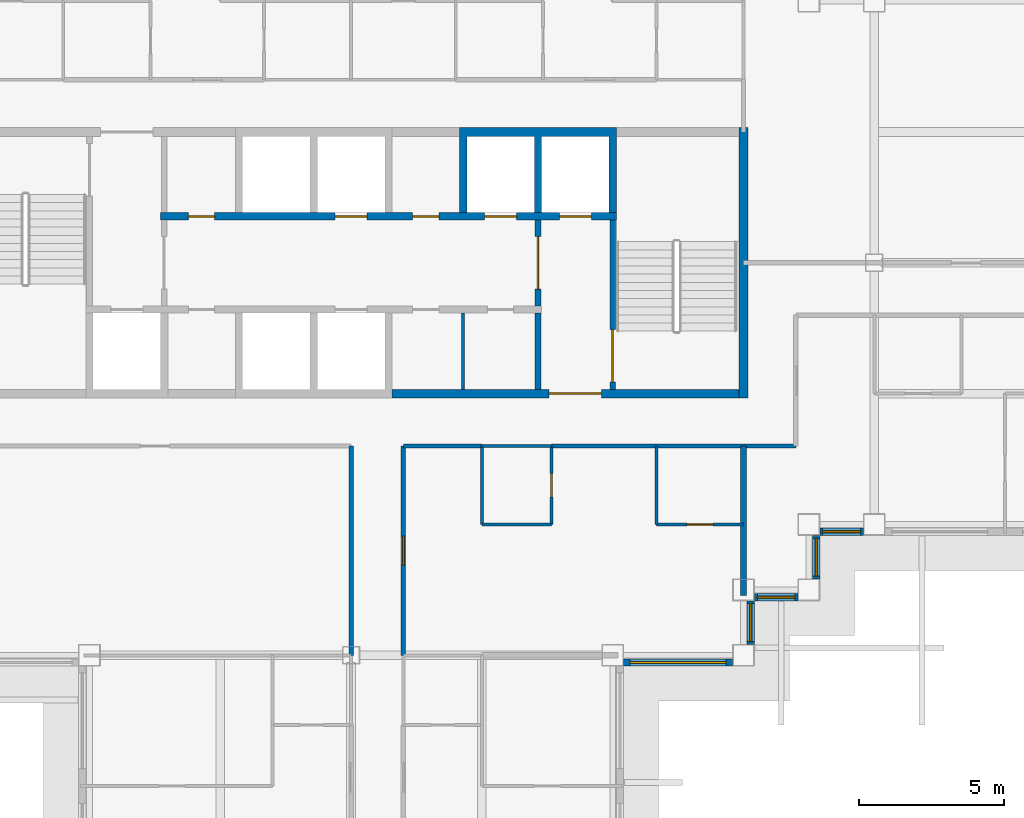
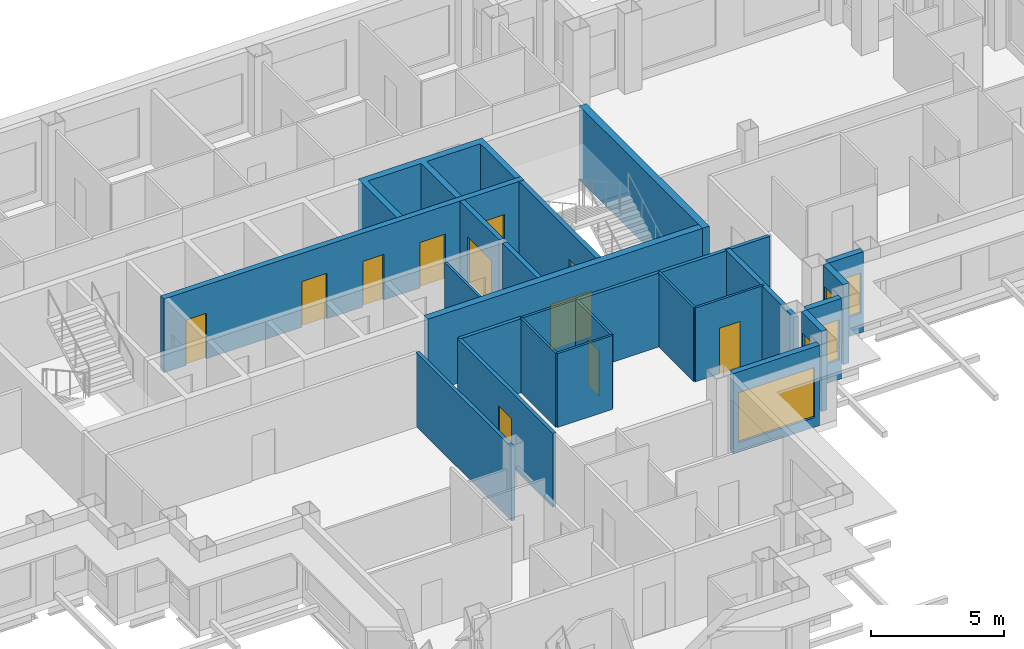
# One storey, part 6 of 15: 24 walls, 11 doors, 5 windows, 16 openings.
"""IFC4 building model written with IfcOpenShell, lengths in metres."""

from ifc_helpers import new_model, si_unit, direction, frame, frame_2d, origin, place, context, subcontext, project, spatial, polyline, rectangle, outline, extrude, material, layer, layer_set, type_object, element, fill, save


model = new_model("IFC4")

# Units and contexts
model_context = context("Model", 3, precision=1e-05, world=origin(), true_north=direction((0.0, 1.0)))
body_context = subcontext(model_context, "Body", "Model", "MODEL_VIEW")
ifc_project = project(units=[si_unit("LENGTHUNIT", "METRE"), si_unit("AREAUNIT", "SQUARE_METRE"), si_unit("VOLUMEUNIT", "CUBIC_METRE"), si_unit("PLANEANGLEUNIT", "RADIAN"), si_unit("MASSUNIT", "GRAM", prefix="KILO")], contexts=[model_context])

# Site, building, storey
site_placement = place(None, origin())
site = spatial("IfcSite", under=ifc_project, at=site_placement, CompositionType="ELEMENT")
building_placement = place(site_placement, origin())
building = spatial("IfcBuilding", under=site, at=building_placement, Name="Caravel Reach Hotel and Residences", CompositionType="ELEMENT")
storey_placement = place(building_placement, frame((0.0, 0.0, 172.800048828125)))
storey = spatial("IfcBuildingStorey", under=building, at=storey_placement, Name="L43", CompositionType="ELEMENT", Elevation=172.800048828125)

# Walls
ifc_material_1 = material(Name="Gypsum board on steel stud", Category="steel")
ifc_layer_1 = layer(ifc_material_1, 0.10009765625)
ifc_layer_set_1 = layer_set([ifc_layer_1], Name="Bathroom pod wall 100 mm")
wall_type_1 = type_object("IfcWallType", Name="Bathroom pod wall 100 mm", PredefinedType="PARTITIONING", material=ifc_layer_set_1)
for number, where, z_axis, x_axis, name in (
    (1, (36.0, 18.0, 0.0), (0.0, 0.0, 1.0), (1.0, 0.0, 0.0), "L43 wall w091"),
    (2, (36.0, 20.699951171875, 0.0), (0.0, 0.0, 1.0), (1.0, 0.0, 0.0), "L43 wall w093"),
):
    element("IfcWall", number, at=place(storey_placement, frame(where, z_axis=z_axis, x_axis=x_axis)), inside=storey, type_object=wall_type_1, Name=name, PredefinedType="PARTITIONING", context=body_context, shape_type="SweptSolid", body=[
        extrude(rectangle(XDim=2.39990234375, YDim=0.10009765625, at=frame_2d((1.199951171875, 0.0))), origin(), (0.0, 0.0, 1.0), 3.39990234375),
    ])
wall_1_placement = place(storey_placement, frame((36.0, 18.0, 0.0), z_axis=(0.0, 0.0, 1.0), x_axis=(0.0, 1.0, 0.0)))
element("IfcWall", 3, at=wall_1_placement, inside=storey, type_object=wall_type_1, Name="L43 wall w118", PredefinedType="PARTITIONING", context=body_context, shape_type="SweptSolid", body=[
    extrude(rectangle(XDim=2.698974609375, YDim=0.10009765625, at=frame_2d((1.349609375, 0.0))), origin(), (0.0, 0.0, 1.0), 3.39990234375),
])

# Wall, opening, door
wall_2_placement = place(storey_placement, frame((38.39990234375, 18.0, 0.0), z_axis=(0.0, 0.0, 1.0), x_axis=(0.0, 1.0, 0.0)))
wall_2 = element("IfcWall", 4, at=wall_2_placement, inside=storey, type_object=wall_type_1, Name="L43 wall w119", PredefinedType="PARTITIONING", context=body_context, shape_type="SweptSolid", body=[
    extrude(rectangle(XDim=2.699951171875, YDim=0.10009765625, at=frame_2d((1.35009765625, 0.0))), origin(), (0.0, 0.0, 1.0), 3.39990234375),
])
opening_1_placement = place(wall_2_placement, frame((0.949951171875, 0.0, 0.0)))
opening_1 = element("IfcOpeningElement", 5, at=opening_1_placement, cuts=wall_2, Name="Opening D43-038", PredefinedType="OPENING", context=body_context, shape_type="SweptSolid", body=[
    extrude(rectangle(XDim=0.800048828125, YDim=2.10009765625, at=frame_2d((0.39990234375, 1.050048828125))), frame((0.0, 0.06005859375, 0.0), z_axis=(0.0, -1.0, 0.0), x_axis=(1.0, 0.0, 0.0)), (0.0, 0.0, 1.0), 0.1201171875),
])
ifc_material_2 = material(Name="Timber and steel door leaf", Category="steel")
door_type_1 = type_object("IfcDoorType", Name="Bathroom door 800 x 2100", OperationType="SINGLE_SWING_LEFT", PredefinedType="DOOR", material=ifc_material_2)
door_1_placement = place(opening_1_placement, origin())
door_1 = element("IfcDoor", 6, at=door_1_placement, inside=storey, type_object=door_type_1, Name="door D43-038", OperationType="SINGLE_SWING_LEFT", OverallHeight=2.10009765625, OverallWidth=0.800048828125, PredefinedType="DOOR", context=body_context, shape_type="SweptSolid", body=[
    extrude(rectangle(XDim=0.800048828125, YDim=2.10009765625, at=frame_2d((0.39990234375, 1.050048828125))), frame((0.0, 0.02490234375, 0.0), z_axis=(0.0, -1.0, 0.0), x_axis=(1.0, 0.0, 0.0)), (0.0, 0.0, 1.0), 0.050048828125),
])
fill(opening_1, door_1)

# Wall
ifc_material_3 = material(Name="Autoclaved aerated block wall")
ifc_layer_2 = layer(ifc_material_3, 0.199951171875)
ifc_layer_set_2 = layer_set([ifc_layer_2], Name="Compartment wall 200 mm EI 120")
wall_type_2 = type_object("IfcWallType", Name="Compartment wall 200 mm EI 120", PredefinedType="PARTITIONING", material=ifc_layer_set_2)
wall_3_placement = place(storey_placement, frame((37.928466796875, 22.64990234375, 0.0), z_axis=(0.0, 0.0, 1.0), x_axis=(0.0, 1.0, 0.0)))
element("IfcWall", 7, at=wall_3_placement, inside=storey, type_object=wall_type_2, Name="L43 store partition", PredefinedType="PARTITIONING", context=body_context, shape_type="SweptSolid", body=[
    extrude(rectangle(XDim=2.625, YDim=0.199951171875, at=frame_2d((1.3125, 0.0))), origin(), (0.0, 0.0, 1.0), 3.39990234375),
])

# Wall, opening, door
ifc_material_4 = material(Name="Concrete C60", Category="concrete")
ifc_layer_3 = layer(ifc_material_4, 0.300048828125)
ifc_layer_set_3 = layer_set([ifc_layer_3], Name="Core wall 300 mm EI 120")
wall_type_3 = type_object("IfcWallType", Name="Core wall 300 mm EI 120", PredefinedType="SHEAR", material=ifc_layer_set_3)
wall_4_placement = place(storey_placement, frame((32.91064453125, 22.5, 0.0), z_axis=(0.0, 0.0, 1.0), x_axis=(1.0, 0.0, 0.0)))
wall_4 = element("IfcWall", 8, at=wall_4_placement, inside=storey, type_object=wall_type_3, Name="L43 core wall S3", PredefinedType="SHEAR", context=body_context, shape_type="SweptSolid", body=[
    extrude(rectangle(XDim=11.939453125, YDim=0.300048828125, at=frame_2d((5.9697265625, 0.0))), origin(), (0.0, 0.0, 1.0), 3.39990234375),
])
opening_2_placement = place(wall_4_placement, frame((5.403564453125, 0.0, 0.0)))
opening_2 = element("IfcOpeningElement", 9, at=opening_2_placement, cuts=wall_4, Name="Opening D43-016", PredefinedType="OPENING", context=body_context, shape_type="SweptSolid", body=[
    extrude(rectangle(XDim=1.800048828125, YDim=2.10009765625, at=frame_2d((0.89990234375, 1.050048828125))), frame((0.0, 0.159912109375, 0.0), z_axis=(0.0, -1.0, 0.0), x_axis=(1.0, 0.0, 0.0)), (0.0, 0.0, 1.0), 0.320068359375),
])
ifc_material_5 = material(Name="Steel fire door leaf", Category="steel")
door_type_2 = type_object("IfcDoorType", Name="Fire lobby door pair 1800 x 2100 EI 90", OperationType="DOUBLE_DOOR_SINGLE_SWING", PredefinedType="DOOR", material=ifc_material_5)
door_2_placement = place(opening_2_placement, origin())
door_2 = element("IfcDoor", 10, at=door_2_placement, inside=storey, type_object=door_type_2, Name="lobby S door pair to corridor", OperationType="DOUBLE_DOOR_SINGLE_SWING", OverallHeight=2.10009765625, OverallWidth=1.800048828125, PredefinedType="DOOR", context=body_context, shape_type="SweptSolid", body=[
    extrude(rectangle(XDim=1.800048828125, YDim=2.10009765625, at=frame_2d((0.89990234375, 1.050048828125))), frame((0.0, 0.02490234375, 0.0), z_axis=(0.0, -1.0, 0.0), x_axis=(1.0, 0.0, 0.0)), (0.0, 0.0, 1.0), 0.050048828125),
])
fill(opening_2, door_2)

# Walls
wall_5_placement = place(storey_placement, frame((45.0, 22.35009765625, 0.0), z_axis=(0.0, 0.0, 1.0), x_axis=(0.0, 1.0, 0.0)))
element("IfcWall", 11, at=wall_5_placement, inside=storey, type_object=wall_type_3, Name="L43 core wall E", PredefinedType="SHEAR", context=body_context, shape_type="SweptSolid", body=[
    extrude(rectangle(XDim=9.2998046875, YDim=0.300048828125, at=frame_2d((4.64990234375, 0.0))), origin(), (0.0, 0.0, 1.0), 3.39990234375),
])
ifc_material_6 = material(Name="Gypsum board on steel stud, fire-rated", Category="steel")
ifc_layer_4 = layer(ifc_material_6, 0.14990234375)
ifc_layer_set_4 = layer_set([ifc_layer_4], Name="Corridor wall 150 mm EI 60")
wall_type_4 = type_object("IfcWallType", Name="Corridor wall 150 mm EI 60", PredefinedType="PARTITIONING", material=ifc_layer_set_4)
wall_6_placement = place(storey_placement, frame((33.301025390625, 20.699951171875, 0.0), z_axis=(0.0, 0.0, 1.0), x_axis=(1.0, 0.0, 0.0)))
element("IfcWall", 12, at=wall_6_placement, inside=storey, type_object=wall_type_4, Name="L43 wall w002", PredefinedType="PARTITIONING", context=body_context, shape_type="SweptSolid", body=[
    extrude(rectangle(XDim=2.697998046875, YDim=0.14990234375, at=frame_2d((1.34912109375, 0.0))), origin(), (0.0, 0.0, 1.0), 3.39990234375),
])
wall_7_placement = place(storey_placement, frame((38.39990234375, 20.699951171875, 0.0), z_axis=(0.0, 0.0, 1.0), x_axis=(1.0, 0.0, 0.0)))
element("IfcWall", 13, at=wall_7_placement, inside=storey, type_object=wall_type_4, Name="L43 wall w003", PredefinedType="PARTITIONING", context=body_context, shape_type="SweptSolid", body=[
    extrude(rectangle(XDim=8.400146484375, YDim=0.14990234375, at=frame_2d((4.2001953125, 0.0))), origin(), (0.0, 0.0, 1.0), 3.39990234375),
])
wall_8_placement = place(storey_placement, frame((31.5, 13.5, 0.0), z_axis=(0.0, 0.0, 1.0), x_axis=(0.0, 1.0, 0.0)))
element("IfcWall", 14, at=wall_8_placement, inside=storey, type_object=wall_type_4, Name="L43 wall w023", PredefinedType="PARTITIONING", context=body_context, shape_type="SweptSolid", body=[
    extrude(rectangle(XDim=7.199951171875, YDim=0.14990234375, at=frame_2d((3.60009765625, 0.0))), origin(), (0.0, 0.0, 1.0), 3.39990234375),
])

# Wall, opening, door
wall_9_placement = place(storey_placement, frame((33.300048828125, 13.5009765625, 0.0), z_axis=(0.0, 0.0, 1.0), x_axis=(0.0, 1.0, 0.0)))
wall_9 = element("IfcWall", 15, at=wall_9_placement, inside=storey, type_object=wall_type_4, Name="L43 wall w026", PredefinedType="PARTITIONING", context=body_context, shape_type="SweptSolid", body=[
    extrude(rectangle(XDim=7.197998046875, YDim=0.14990234375, at=frame_2d((3.59912109375, 0.0))), origin(), (0.0, 0.0, 1.0), 3.39990234375),
])
opening_3_placement = place(wall_9_placement, frame((3.09912109375, 0.0, 0.0)))
opening_3 = element("IfcOpeningElement", 16, at=opening_3_placement, cuts=wall_9, Name="Opening D43-037", PredefinedType="OPENING", context=body_context, shape_type="SweptSolid", body=[
    extrude(rectangle(XDim=1.0, YDim=2.199951171875, at=frame_2d((0.5, 1.10009765625))), frame((0.0, 0.0849609375, 0.0), z_axis=(0.0, -1.0, 0.0), x_axis=(1.0, 0.0, 0.0)), (0.0, 0.0, 1.0), 0.169921875),
])
ifc_material_7 = material(Name="Steel fire door leaf", Category="steel")
door_type_3 = type_object("IfcDoorType", Name="Flat entrance door 1000 x 2200 EI 60", OperationType="SINGLE_SWING_LEFT", PredefinedType="DOOR", material=ifc_material_7)
door_3_placement = place(opening_3_placement, origin())
door_3 = element("IfcDoor", 17, at=door_3_placement, inside=storey, type_object=door_type_3, Name="door D43-037", OperationType="SINGLE_SWING_LEFT", OverallHeight=2.199951171875, OverallWidth=1.0, PredefinedType="DOOR", context=body_context, shape_type="SweptSolid", body=[
    extrude(rectangle(XDim=1.0, YDim=2.199951171875, at=frame_2d((0.5, 1.10009765625))), frame((0.0, 0.02490234375, 0.0), z_axis=(0.0, -1.0, 0.0), x_axis=(1.0, 0.0, 0.0)), (0.0, 0.0, 1.0), 0.050048828125),
])
fill(opening_3, door_3)

# Wall, opening, window
ifc_material_8 = material(Name="Insulated rainscreen wall, aluminium cladding", Category="aluminium")
ifc_layer_5 = layer(ifc_material_8, 0.25)
ifc_layer_set_5 = layer_set([ifc_layer_5], Name="EW1 Tower rainscreen wall")
wall_type_5 = type_object("IfcWallType", Name="EW1 Tower rainscreen wall", PredefinedType="SOLIDWALL", material=ifc_layer_set_5)
wall_10_placement = place(storey_placement, frame((40.875, 13.25, 0.0), z_axis=(0.0, 0.0, 1.0), x_axis=(1.0, 0.0, 0.0)))
wall_10 = element("IfcWall", 18, at=wall_10_placement, inside=storey, type_object=wall_type_5, Name="External wall L43 S11.1", PredefinedType="SOLIDWALL", context=body_context, shape_type="SweptSolid", body=[
    extrude(rectangle(XDim=3.75, YDim=0.25, at=frame_2d((1.875, 0.0))), origin(), (0.0, 0.0, 1.0), 3.699951171875),
])
opening_4_placement = place(wall_10_placement, frame((0.22509765625, 0.0, 0.449951171875)))
opening_4 = element("IfcOpeningElement", 19, at=opening_4_placement, cuts=wall_10, Name="Opening WN15", PredefinedType="OPENING", context=body_context, shape_type="SweptSolid", body=[
    extrude(rectangle(XDim=3.300048828125, YDim=2.300048828125, at=frame_2d((1.64990234375, 1.14990234375))), frame((0.0, 0.135009765625, 0.0), z_axis=(0.0, -1.0, 0.0), x_axis=(1.0, 0.0, 0.0)), (0.0, 0.0, 1.0), 0.27001953125),
])
ifc_material_9 = material(Name="Dark low-e glazing in black aluminium frame", Category="aluminium")
window_type_1 = type_object("IfcWindowType", Name="Residence living window 3300 x 2300", PartitioningType="SINGLE_PANEL", PredefinedType="WINDOW", material=ifc_material_9)
window_1_placement = place(opening_4_placement, origin())
window_1 = element("IfcWindow", 20, at=window_1_placement, inside=storey, type_object=window_type_1, Name="Window L43 S11.1.1", OverallHeight=2.300048828125, OverallWidth=3.300048828125, PartitioningType="SINGLE_PANEL", PredefinedType="WINDOW", context=body_context, shape_type="SweptSolid", body=[
    extrude(rectangle(XDim=3.300048828125, YDim=2.300048828125, at=frame_2d((1.64990234375, 1.14990234375))), frame((0.0, 0.030029296875, 0.0), z_axis=(0.0, -1.0, 0.0), x_axis=(1.0, 0.0, 0.0)), (0.0, 0.0, 1.0), 0.06005859375),
])
fill(opening_4, window_1)

wall_11_placement = place(storey_placement, frame((45.25, 13.875, 0.0), z_axis=(0.0, 0.0, 1.0), x_axis=(0.0, 1.0, 0.0)))
wall_11 = element("IfcWall", 21, at=wall_11_placement, inside=storey, type_object=wall_type_5, Name="External wall L43 E12.1", PredefinedType="SOLIDWALL", context=body_context, shape_type="SweptSolid", body=[
    extrude(rectangle(XDim=1.5, YDim=0.25, at=frame_2d((0.75, 0.0))), origin(), (0.0, 0.0, 1.0), 3.699951171875),
])
opening_5_placement = place(wall_11_placement, frame((0.10009765625, 0.0, 0.89990234375)))
opening_5 = element("IfcOpeningElement", 22, at=opening_5_placement, cuts=wall_11, Name="Opening WN16", PredefinedType="OPENING", context=body_context, shape_type="SweptSolid", body=[
    extrude(rectangle(XDim=1.300048828125, YDim=1.85009765625, at=frame_2d((0.64990234375, 0.925048828125))), frame((0.0, 0.135009765625, 0.0), z_axis=(0.0, -1.0, 0.0), x_axis=(1.0, 0.0, 0.0)), (0.0, 0.0, 1.0), 0.27001953125),
])
ifc_material_10 = material(Name="Dark low-e glazing in black aluminium frame", Category="aluminium")
window_type_2 = type_object("IfcWindowType", Name="Residence bedroom window 1300 x 1850", PartitioningType="SINGLE_PANEL", PredefinedType="WINDOW", material=ifc_material_10)
window_2_placement = place(opening_5_placement, origin())
window_2 = element("IfcWindow", 23, at=window_2_placement, inside=storey, type_object=window_type_2, Name="Window L43 E12.1.1", OverallHeight=1.85009765625, OverallWidth=1.300048828125, PartitioningType="SINGLE_PANEL", PredefinedType="WINDOW", context=body_context, shape_type="SweptSolid", body=[
    extrude(rectangle(XDim=1.300048828125, YDim=1.85009765625, at=frame_2d((0.64990234375, 0.925048828125))), frame((0.0, 0.030029296875, 0.0), z_axis=(0.0, -1.0, 0.0), x_axis=(1.0, 0.0, 0.0)), (0.0, 0.0, 1.0), 0.06005859375),
])
fill(opening_5, window_2)

wall_12_placement = place(storey_placement, frame((45.375, 15.5, 0.0), z_axis=(0.0, 0.0, 1.0), x_axis=(1.0, 0.0, 0.0)))
wall_12 = element("IfcWall", 24, at=wall_12_placement, inside=storey, type_object=wall_type_5, Name="External wall L43 S13.1", PredefinedType="SOLIDWALL", context=body_context, shape_type="SweptSolid", body=[
    extrude(rectangle(XDim=1.5, YDim=0.25, at=frame_2d((0.75, 0.0))), origin(), (0.0, 0.0, 1.0), 3.699951171875),
])
opening_6_placement = place(wall_12_placement, frame((0.10009765625, 0.0, 0.89990234375)))
opening_6 = element("IfcOpeningElement", 25, at=opening_6_placement, cuts=wall_12, Name="Opening WN16", PredefinedType="OPENING", context=body_context, shape_type="SweptSolid", body=[
    extrude(rectangle(XDim=1.300048828125, YDim=1.85009765625, at=frame_2d((0.64990234375, 0.925048828125))), frame((0.0, 0.135009765625, 0.0), z_axis=(0.0, -1.0, 0.0), x_axis=(1.0, 0.0, 0.0)), (0.0, 0.0, 1.0), 0.27001953125),
])
window_3_placement = place(opening_6_placement, origin())
window_3 = element("IfcWindow", 26, at=window_3_placement, inside=storey, type_object=window_type_2, Name="Window L43 S13.1.1", OverallHeight=1.85009765625, OverallWidth=1.300048828125, PartitioningType="SINGLE_PANEL", PredefinedType="WINDOW", context=body_context, shape_type="SweptSolid", body=[
    extrude(rectangle(XDim=1.300048828125, YDim=1.85009765625, at=frame_2d((0.64990234375, 0.925048828125))), frame((0.0, 0.030029296875, 0.0), z_axis=(0.0, -1.0, 0.0), x_axis=(1.0, 0.0, 0.0)), (0.0, 0.0, 1.0), 0.06005859375),
])
fill(opening_6, window_3)

wall_13_placement = place(storey_placement, frame((47.5, 16.125, 0.0), z_axis=(0.0, 0.0, 1.0), x_axis=(0.0, 1.0, 0.0)))
wall_13 = element("IfcWall", 27, at=wall_13_placement, inside=storey, type_object=wall_type_5, Name="External wall L43 E14.1", PredefinedType="SOLIDWALL", context=body_context, shape_type="SweptSolid", body=[
    extrude(rectangle(XDim=1.5, YDim=0.25, at=frame_2d((0.75, 0.0))), origin(), (0.0, 0.0, 1.0), 3.699951171875),
])
opening_7_placement = place(wall_13_placement, frame((0.10009765625, 0.0, 0.89990234375)))
opening_7 = element("IfcOpeningElement", 28, at=opening_7_placement, cuts=wall_13, Name="Opening WN16", PredefinedType="OPENING", context=body_context, shape_type="SweptSolid", body=[
    extrude(rectangle(XDim=1.300048828125, YDim=1.85009765625, at=frame_2d((0.64990234375, 0.925048828125))), frame((0.0, 0.135009765625, 0.0), z_axis=(0.0, -1.0, 0.0), x_axis=(1.0, 0.0, 0.0)), (0.0, 0.0, 1.0), 0.27001953125),
])
window_4_placement = place(opening_7_placement, origin())
window_4 = element("IfcWindow", 29, at=window_4_placement, inside=storey, type_object=window_type_2, Name="Window L43 E14.1.1", OverallHeight=1.85009765625, OverallWidth=1.300048828125, PartitioningType="SINGLE_PANEL", PredefinedType="WINDOW", context=body_context, shape_type="SweptSolid", body=[
    extrude(rectangle(XDim=1.300048828125, YDim=1.85009765625, at=frame_2d((0.64990234375, 0.925048828125))), frame((0.0, 0.030029296875, 0.0), z_axis=(0.0, -1.0, 0.0), x_axis=(1.0, 0.0, 0.0)), (0.0, 0.0, 1.0), 0.06005859375),
])
fill(opening_7, window_4)

wall_14_placement = place(storey_placement, frame((47.625, 17.75, 0.0), z_axis=(0.0, 0.0, 1.0), x_axis=(1.0, 0.0, 0.0)))
wall_14 = element("IfcWall", 30, at=wall_14_placement, inside=storey, type_object=wall_type_5, Name="External wall L43 S15.1", PredefinedType="SOLIDWALL", context=body_context, shape_type="SweptSolid", body=[
    extrude(rectangle(XDim=1.5, YDim=0.25, at=frame_2d((0.75, 0.0))), origin(), (0.0, 0.0, 1.0), 3.699951171875),
])
opening_8_placement = place(wall_14_placement, frame((0.10009765625, 0.0, 0.89990234375)))
opening_8 = element("IfcOpeningElement", 31, at=opening_8_placement, cuts=wall_14, Name="Opening WN16", PredefinedType="OPENING", context=body_context, shape_type="SweptSolid", body=[
    extrude(rectangle(XDim=1.300048828125, YDim=1.85009765625, at=frame_2d((0.64990234375, 0.925048828125))), frame((0.0, 0.135009765625, 0.0), z_axis=(0.0, -1.0, 0.0), x_axis=(1.0, 0.0, 0.0)), (0.0, 0.0, 1.0), 0.27001953125),
])
window_5_placement = place(opening_8_placement, origin())
window_5 = element("IfcWindow", 32, at=window_5_placement, inside=storey, type_object=window_type_2, Name="Window L43 S15.1.1", OverallHeight=1.85009765625, OverallWidth=1.300048828125, PartitioningType="SINGLE_PANEL", PredefinedType="WINDOW", context=body_context, shape_type="SweptSolid", body=[
    extrude(rectangle(XDim=1.300048828125, YDim=1.85009765625, at=frame_2d((0.64990234375, 0.925048828125))), frame((0.0, 0.030029296875, 0.0), z_axis=(0.0, -1.0, 0.0), x_axis=(1.0, 0.0, 0.0)), (0.0, 0.0, 1.0), 0.06005859375),
])
fill(opening_8, window_5)

# Wall, opening, door
ifc_material_11 = material(Name="Autoclaved aerated block wall")
ifc_layer_6 = layer(ifc_material_11, 0.199951171875)
ifc_layer_set_6 = layer_set([ifc_layer_6], Name="Fire lobby wall 200 mm EI 120")
wall_type_6 = type_object("IfcWallType", Name="Fire lobby wall 200 mm EI 120", PredefinedType="PARTITIONING", material=ifc_layer_set_6)
wall_15_placement = place(storey_placement, frame((37.928466796875, 25.52490234375, 0.0), z_axis=(0.0, 0.0, 1.0), x_axis=(0.0, 1.0, 0.0)))
wall_15 = element("IfcWall", 33, at=wall_15_placement, inside=storey, type_object=wall_type_6, Name="L43 lobby E wall", PredefinedType="PARTITIONING", context=body_context, shape_type="SweptSolid", body=[
    extrude(rectangle(XDim=2.9501953125, YDim=0.199951171875, at=frame_2d((1.47509765625, 0.0))), origin(), (0.0, 0.0, 1.0), 3.39990234375),
])
opening_9_placement = place(wall_15_placement, frame((0.574951171875, 0.0, 0.0)))
opening_9 = element("IfcOpeningElement", 34, at=opening_9_placement, cuts=wall_15, Name="Opening D43-014", PredefinedType="OPENING", context=body_context, shape_type="SweptSolid", body=[
    extrude(rectangle(XDim=1.800048828125, YDim=2.10009765625, at=frame_2d((0.89990234375, 1.050048828125))), frame((0.0, 0.10986328125, 0.0), z_axis=(0.0, -1.0, 0.0), x_axis=(1.0, 0.0, 0.0)), (0.0, 0.0, 1.0), 0.219970703125),
])
door_4_placement = place(opening_9_placement, origin())
door_4 = element("IfcDoor", 35, at=door_4_placement, inside=storey, type_object=door_type_2, Name="lobby E door pair", OperationType="DOUBLE_DOOR_SINGLE_SWING", OverallHeight=2.10009765625, OverallWidth=1.800048828125, PredefinedType="DOOR", context=body_context, shape_type="SweptSolid", body=[
    extrude(rectangle(XDim=1.800048828125, YDim=2.10009765625, at=frame_2d((0.89990234375, 1.050048828125))), frame((0.0, 0.02490234375, 0.0), z_axis=(0.0, -1.0, 0.0), x_axis=(1.0, 0.0, 0.0)), (0.0, 0.0, 1.0), 0.050048828125),
])
fill(opening_9, door_4)

# Wall
ifc_material_12 = material(Name="Gypsum board on steel stud", Category="steel")
ifc_layer_7 = layer(ifc_material_12, 0.10009765625)
ifc_layer_set_7 = layer_set([ifc_layer_7], Name="Partition 100 mm")
wall_type_7 = type_object("IfcWallType", Name="Partition 100 mm", PredefinedType="PARTITIONING", material=ifc_layer_set_7)
wall_16_placement = place(storey_placement, frame((35.357177734375, 22.64990234375, 0.0), z_axis=(0.0, 0.0, 1.0), x_axis=(0.0, 1.0, 0.0)))
element("IfcWall", 36, at=wall_16_placement, inside=storey, type_object=wall_type_7, Name="L43 store partition", PredefinedType="PARTITIONING", context=body_context, shape_type="SweptSolid", body=[
    extrude(rectangle(XDim=2.625, YDim=0.10009765625, at=frame_2d((1.3125, 0.0))), origin(), (0.0, 0.0, 1.0), 3.39990234375),
])

# Wall, opening, door
wall_17_placement = place(storey_placement, frame((42.0, 18.0, 0.0), z_axis=(0.0, 0.0, 1.0), x_axis=(1.0, 0.0, 0.0)))
wall_17 = element("IfcWall", 37, at=wall_17_placement, inside=storey, type_object=wall_type_7, Name="L43 wall w032", PredefinedType="PARTITIONING", context=body_context, shape_type="SweptSolid", body=[
    extrude(rectangle(XDim=3.0, YDim=0.10009765625, at=frame_2d((1.5, 0.0))), origin(), (0.0, 0.0, 1.0), 3.39990234375),
])
opening_10_placement = place(wall_17_placement, frame((1.050048828125, 0.0, 0.0)))
opening_10 = element("IfcOpeningElement", 38, at=opening_10_placement, cuts=wall_17, Name="Opening D43-039", PredefinedType="OPENING", context=body_context, shape_type="SweptSolid", body=[
    extrude(rectangle(XDim=0.89990234375, YDim=2.10009765625, at=frame_2d((0.449951171875, 1.050048828125))), frame((0.0, 0.06005859375, 0.0), z_axis=(0.0, -1.0, 0.0), x_axis=(1.0, 0.0, 0.0)), (0.0, 0.0, 1.0), 0.1201171875),
])
ifc_material_13 = material(Name="Timber and steel door leaf", Category="steel")
door_type_4 = type_object("IfcDoorType", Name="Door 900 x 2100 timber", OperationType="SINGLE_SWING_LEFT", PredefinedType="DOOR", material=ifc_material_13)
door_5_placement = place(opening_10_placement, origin())
door_5 = element("IfcDoor", 39, at=door_5_placement, inside=storey, type_object=door_type_4, Name="door D43-039", OperationType="SINGLE_SWING_RIGHT", OverallHeight=2.10009765625, OverallWidth=0.89990234375, PredefinedType="DOOR", context=body_context, shape_type="SweptSolid", body=[
    extrude(rectangle(XDim=0.89990234375, YDim=2.10009765625, at=frame_2d((0.449951171875, 1.050048828125))), frame((0.0, 0.02490234375, 0.0), z_axis=(0.0, -1.0, 0.0), x_axis=(1.0, 0.0, 0.0)), (0.0, 0.0, 1.0), 0.050048828125),
])
fill(opening_10, door_5)

# Walls
wall_18_placement = place(storey_placement, frame((42.0, 18.0, 0.0), z_axis=(0.0, 0.0, 1.0), x_axis=(0.0, 1.0, 0.0)))
element("IfcWall", 40, at=wall_18_placement, inside=storey, type_object=wall_type_7, Name="L43 wall w071", PredefinedType="PARTITIONING", context=body_context, shape_type="SweptSolid", body=[
    extrude(rectangle(XDim=2.699951171875, YDim=0.10009765625, at=frame_2d((1.35009765625, 0.0))), origin(), (0.0, 0.0, 1.0), 3.39990234375),
])
ifc_material_14 = material(Name="Autoclaved aerated block wall")
ifc_layer_8 = layer(ifc_material_14, 0.199951171875)
ifc_layer_set_8 = layer_set([ifc_layer_8], Name="Party wall 200 mm EI 60")
wall_type_8 = type_object("IfcWallType", Name="Party wall 200 mm EI 60", PredefinedType="PARTITIONING", material=ifc_layer_set_8)
wall_19_placement = place(storey_placement, frame((45.0, 15.56005859375, 0.0), z_axis=(0.0, 0.0, 1.0), x_axis=(0.0, 1.0, 0.0)))
element("IfcWall", 41, at=wall_19_placement, inside=storey, type_object=wall_type_8, Name="L43 wall w084", PredefinedType="PARTITIONING", context=body_context, shape_type="SweptSolid", body=[
    extrude(rectangle(XDim=5.138916015625, YDim=0.199951171875, at=frame_2d((2.5693359375, 0.0))), origin(), (0.0, 0.0, 1.0), 3.39990234375),
])
ifc_material_15 = material(Name="Concrete C60", Category="concrete")
ifc_layer_9 = layer(ifc_material_15, 0.25)
ifc_layer_set_9 = layer_set([ifc_layer_9], Name="Shaft wall 250 mm EI 120")
wall_type_9 = type_object("IfcWallType", Name="Shaft wall 250 mm EI 120", PredefinedType="SHEAR", material=ifc_layer_set_9)
wall_20_placement = place(storey_placement, origin())
element("IfcWall", 42, at=wall_20_placement, inside=storey, type_object=wall_type_9, Name="L43 lift shaft wall N2", PredefinedType="SHEAR", context=body_context, shape_type="SweptSolid", body=[
    extrude(outline(polyline([(35.232177734375, 28.72509765625), (35.482177734375, 28.72509765625), (35.482177734375, 31.35009765625), (37.803466796875, 31.35009765625), (37.803466796875, 28.72509765625), (38.053466796875, 28.72509765625), (38.053466796875, 31.35009765625), (40.375, 31.35009765625), (40.375, 28.72509765625), (40.625, 28.72509765625), (40.625, 31.64990234375), (35.232177734375, 31.64990234375), (35.232177734375, 28.72509765625)])), origin(), (0.0, 0.0, 1.0), 3.39990234375),
])

# Wall, openings, doors
wall_21_placement = place(storey_placement, frame((24.946533203125, 28.60009765625, 0.0), z_axis=(0.0, 0.0, 1.0), x_axis=(1.0, 0.0, 0.0)))
wall_21 = element("IfcWall", 43, at=wall_21_placement, inside=storey, type_object=wall_type_9, Name="L43 lobby wall N1", PredefinedType="SHEAR", context=body_context, shape_type="SweptSolid", body=[
    extrude(rectangle(XDim=15.678466796875, YDim=0.25, at=frame_2d((7.83935546875, 0.0))), origin(), (0.0, 0.0, 1.0), 3.39990234375),
])
opening_11_placement = place(wall_21_placement, frame((6.003662109375, 0.0, 0.0)))
opening_11 = element("IfcOpeningElement", 44, at=opening_11_placement, cuts=wall_21, Name="Opening D43-002", PredefinedType="OPENING", context=body_context, shape_type="SweptSolid", body=[
    extrude(rectangle(XDim=1.10009765625, YDim=2.10009765625, at=frame_2d((0.550048828125, 1.050048828125))), frame((0.0, 0.135009765625, 0.0), z_axis=(0.0, -1.0, 0.0), x_axis=(1.0, 0.0, 0.0)), (0.0, 0.0, 1.0), 0.27001953125),
])
opening_12_placement = place(wall_21_placement, frame((11.146484375, 0.0, 0.0)))
opening_12 = element("IfcOpeningElement", 45, at=opening_12_placement, cuts=wall_21, Name="Opening D43-003", PredefinedType="OPENING", context=body_context, shape_type="SweptSolid", body=[
    extrude(rectangle(XDim=1.10009765625, YDim=2.10009765625, at=frame_2d((0.550048828125, 1.050048828125))), frame((0.0, 0.135009765625, 0.0), z_axis=(0.0, -1.0, 0.0), x_axis=(1.0, 0.0, 0.0)), (0.0, 0.0, 1.0), 0.27001953125),
])
opening_13_placement = place(wall_21_placement, frame((13.718017578125, 0.0, 0.0)))
opening_13 = element("IfcOpeningElement", 46, at=opening_13_placement, cuts=wall_21, Name="Opening D43-005", PredefinedType="OPENING", context=body_context, shape_type="SweptSolid", body=[
    extrude(rectangle(XDim=1.10009765625, YDim=2.10009765625, at=frame_2d((0.550048828125, 1.050048828125))), frame((0.0, 0.135009765625, 0.0), z_axis=(0.0, -1.0, 0.0), x_axis=(1.0, 0.0, 0.0)), (0.0, 0.0, 1.0), 0.27001953125),
])
opening_14_placement = place(wall_21_placement, frame((0.960693359375, 0.0, 0.0)))
opening_14 = element("IfcOpeningElement", 47, at=opening_14_placement, cuts=wall_21, Name="Opening D43-009", PredefinedType="OPENING", context=body_context, shape_type="SweptSolid", body=[
    extrude(rectangle(XDim=0.89990234375, YDim=2.10009765625, at=frame_2d((0.449951171875, 1.050048828125))), frame((0.0, 0.135009765625, 0.0), z_axis=(0.0, -1.0, 0.0), x_axis=(1.0, 0.0, 0.0)), (0.0, 0.0, 1.0), 0.27001953125),
])
opening_15_placement = place(wall_21_placement, frame((8.675048828125, 0.0, 0.0)))
opening_15 = element("IfcOpeningElement", 48, at=opening_15_placement, cuts=wall_21, Name="Opening D43-010", PredefinedType="OPENING", context=body_context, shape_type="SweptSolid", body=[
    extrude(rectangle(XDim=0.89990234375, YDim=2.10009765625, at=frame_2d((0.449951171875, 1.050048828125))), frame((0.0, 0.135009765625, 0.0), z_axis=(0.0, -1.0, 0.0), x_axis=(1.0, 0.0, 0.0)), (0.0, 0.0, 1.0), 0.27001953125),
])
ifc_material_16 = material(Name="Stainless steel landing door", Category="steel")
door_type_5 = type_object("IfcDoorType", Name="Landing door LD 1100 x 2100 sliding", OperationType="DOUBLE_DOOR_SLIDING", PredefinedType="DOOR", material=ifc_material_16)
door_6_placement = place(opening_11_placement, origin())
door_6 = element("IfcDoor", 49, at=door_6_placement, inside=storey, type_object=door_type_5, Name="MP2 landing door", OperationType="DOUBLE_DOOR_SLIDING", OverallHeight=2.10009765625, OverallWidth=1.10009765625, PredefinedType="DOOR", context=body_context, shape_type="SweptSolid", body=[
    extrude(rectangle(XDim=1.10009765625, YDim=2.10009765625, at=frame_2d((0.550048828125, 1.050048828125))), frame((0.0, 0.02490234375, 0.0), z_axis=(0.0, -1.0, 0.0), x_axis=(1.0, 0.0, 0.0)), (0.0, 0.0, 1.0), 0.050048828125),
])
fill(opening_11, door_6)
door_7_placement = place(opening_12_placement, origin())
door_7 = element("IfcDoor", 50, at=door_7_placement, inside=storey, type_object=door_type_5, Name="MP3 landing door", OperationType="DOUBLE_DOOR_SLIDING", OverallHeight=2.10009765625, OverallWidth=1.10009765625, PredefinedType="DOOR", context=body_context, shape_type="SweptSolid", body=[
    extrude(rectangle(XDim=1.10009765625, YDim=2.10009765625, at=frame_2d((0.550048828125, 1.050048828125))), frame((0.0, 0.02490234375, 0.0), z_axis=(0.0, -1.0, 0.0), x_axis=(1.0, 0.0, 0.0)), (0.0, 0.0, 1.0), 0.050048828125),
])
fill(opening_12, door_7)
door_8_placement = place(opening_13_placement, origin())
door_8 = element("IfcDoor", 51, at=door_8_placement, inside=storey, type_object=door_type_5, Name="FL2 landing door", OperationType="DOUBLE_DOOR_SLIDING", OverallHeight=2.10009765625, OverallWidth=1.10009765625, PredefinedType="DOOR", context=body_context, shape_type="SweptSolid", body=[
    extrude(rectangle(XDim=1.10009765625, YDim=2.10009765625, at=frame_2d((0.550048828125, 1.050048828125))), frame((0.0, 0.02490234375, 0.0), z_axis=(0.0, -1.0, 0.0), x_axis=(1.0, 0.0, 0.0)), (0.0, 0.0, 1.0), 0.050048828125),
])
fill(opening_13, door_8)
ifc_material_17 = material(Name="Steel fire door leaf", Category="steel")
door_type_6 = type_object("IfcDoorType", Name="Riser door 900 x 2100 EI 60", OperationType="SINGLE_SWING_LEFT", PredefinedType="DOOR", material=ifc_material_17)
door_9_placement = place(opening_14_placement, origin())
door_9 = element("IfcDoor", 52, at=door_9_placement, inside=storey, type_object=door_type_6, Name="Telecom room door", OperationType="SINGLE_SWING_LEFT", OverallHeight=2.10009765625, OverallWidth=0.89990234375, PredefinedType="DOOR", context=body_context, shape_type="SweptSolid", body=[
    extrude(rectangle(XDim=0.89990234375, YDim=2.10009765625, at=frame_2d((0.449951171875, 1.050048828125))), frame((0.0, 0.02490234375, 0.0), z_axis=(0.0, -1.0, 0.0), x_axis=(1.0, 0.0, 0.0)), (0.0, 0.0, 1.0), 0.050048828125),
])
fill(opening_14, door_9)
door_10_placement = place(opening_15_placement, origin())
door_10 = element("IfcDoor", 53, at=door_10_placement, inside=storey, type_object=door_type_6, Name="Recycling store door", OperationType="SINGLE_SWING_LEFT", OverallHeight=2.10009765625, OverallWidth=0.89990234375, PredefinedType="DOOR", context=body_context, shape_type="SweptSolid", body=[
    extrude(rectangle(XDim=0.89990234375, YDim=2.10009765625, at=frame_2d((0.449951171875, 1.050048828125))), frame((0.0, 0.02490234375, 0.0), z_axis=(0.0, -1.0, 0.0), x_axis=(1.0, 0.0, 0.0)), (0.0, 0.0, 1.0), 0.050048828125),
])
fill(opening_15, door_10)

# Wall, opening, door
ifc_material_18 = material(Name="Concrete C60", Category="concrete")
ifc_layer_10 = layer(ifc_material_18, 0.199951171875)
ifc_layer_set_10 = layer_set([ifc_layer_10], Name="Stair enclosure wall 200 mm EI 120")
wall_type_10 = type_object("IfcWallType", Name="Stair enclosure wall 200 mm EI 120", PredefinedType="SHEAR", material=ifc_layer_set_10)
wall_22_placement = place(storey_placement, frame((40.5, 22.64990234375, 0.0), z_axis=(0.0, 0.0, 1.0), x_axis=(0.0, 1.0, 0.0)))
wall_22 = element("IfcWall", 54, at=wall_22_placement, inside=storey, type_object=wall_type_10, Name="L43 stair B wall", PredefinedType="SHEAR", context=body_context, shape_type="SweptSolid", body=[
    extrude(rectangle(XDim=5.8251953125, YDim=0.199951171875, at=frame_2d((2.91259765625, 0.0))), origin(), (0.0, 0.0, 1.0), 3.39990234375),
])
opening_16_placement = place(wall_22_placement, frame((0.25, 0.0, 0.0)))
opening_16 = element("IfcOpeningElement", 55, at=opening_16_placement, cuts=wall_22, Name="Opening D43-012", PredefinedType="OPENING", context=body_context, shape_type="SweptSolid", body=[
    extrude(rectangle(XDim=1.800048828125, YDim=2.10009765625, at=frame_2d((0.89990234375, 1.050048828125))), frame((0.0, 0.10986328125, 0.0), z_axis=(0.0, -1.0, 0.0), x_axis=(1.0, 0.0, 0.0)), (0.0, 0.0, 1.0), 0.219970703125),
])
ifc_material_19 = material(Name="Steel fire door leaf", Category="steel")
door_type_7 = type_object("IfcDoorType", Name="Stair door pair 1800 x 2100 EI 90", OperationType="DOUBLE_DOOR_SINGLE_SWING", PredefinedType="DOOR", material=ifc_material_19)
door_11_placement = place(opening_16_placement, origin())
door_11 = element("IfcDoor", 56, at=door_11_placement, inside=storey, type_object=door_type_7, Name="stair B door pair", OperationType="DOUBLE_DOOR_SINGLE_SWING", OverallHeight=2.10009765625, OverallWidth=1.800048828125, PredefinedType="DOOR", context=body_context, shape_type="SweptSolid", body=[
    extrude(rectangle(XDim=1.800048828125, YDim=2.10009765625, at=frame_2d((0.89990234375, 1.050048828125))), frame((0.0, 0.02490234375, 0.0), z_axis=(0.0, -1.0, 0.0), x_axis=(1.0, 0.0, 0.0)), (0.0, 0.0, 1.0), 0.050048828125),
])
fill(opening_16, door_11)

save(model, "model.ifc")
